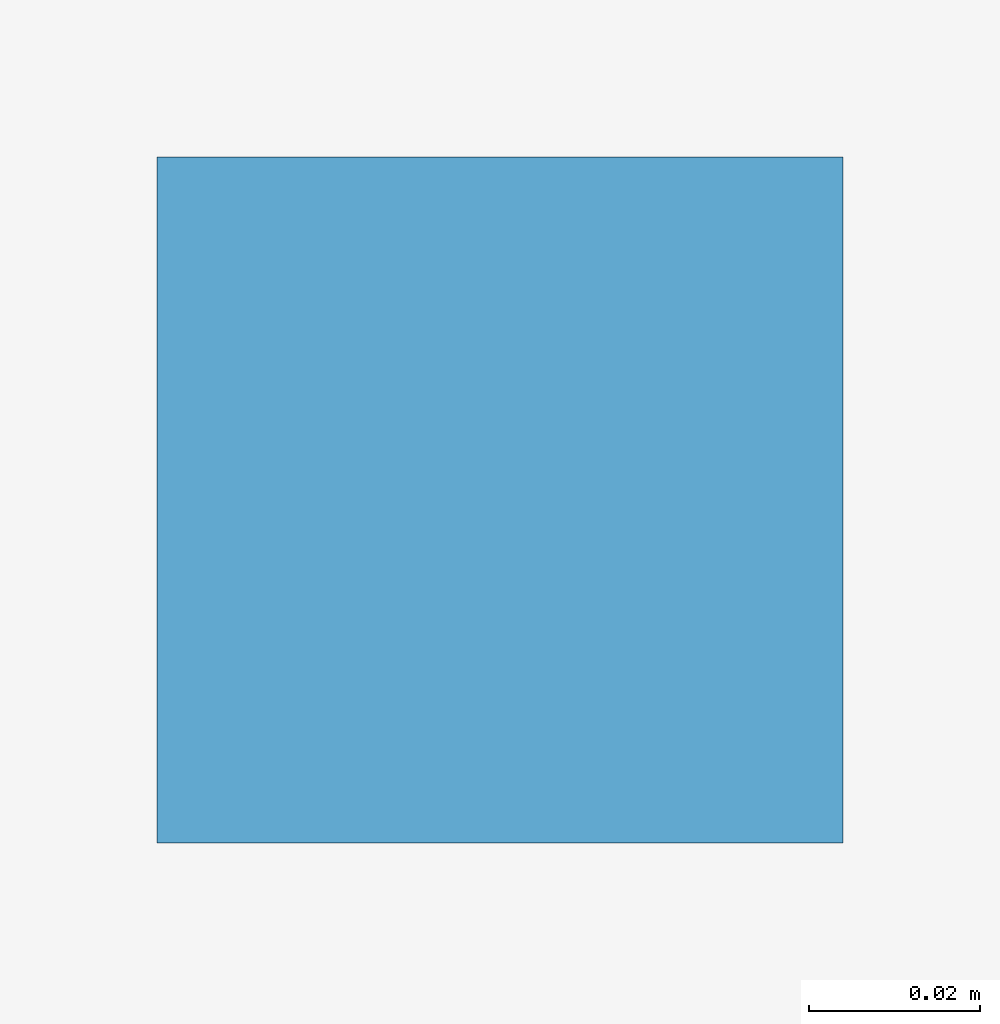
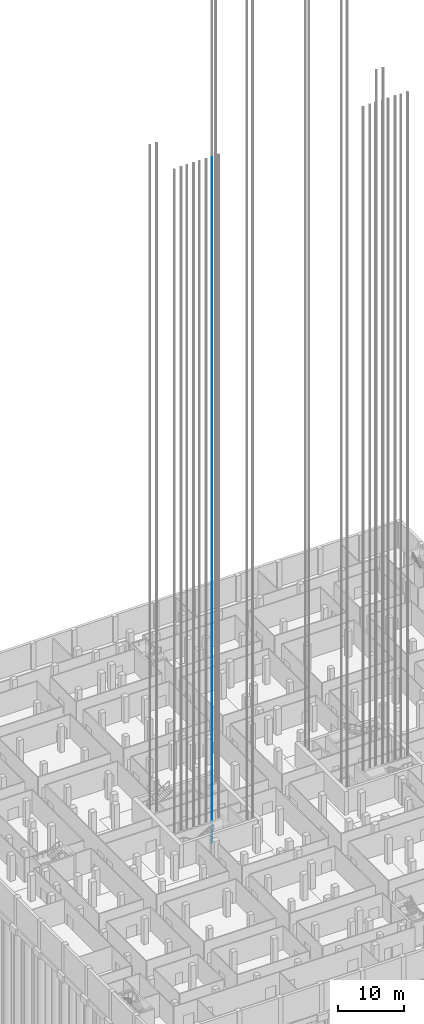
# One storey, part 32 of 54: 1 discrete accessory.
"""IFC4 building model written with IfcOpenShell, lengths in metres."""

import ifcopenshell
import ifcopenshell.guid

model = None  # the IFC model being written
_history = None  # IfcOwnerHistory: only IFC2X3 demands one
_inside = {}  # id of a spatial element -> (the spatial element, [elements in it])
_under = {}  # id of a project, library or spatial element -> (it, [spatial elements below it])
_declared = {}  # id of a project -> (the project, [libraries it declares])
_typed = {}  # id of a type object -> (the type object, [elements of that type])
_made_of = {}  # id of a material, layer set ... -> (it, [elements and type objects made of it])


def new_model(schema):
    """Start an empty IFC model of exactly this schema.

    Asked for "IFC4X3", IfcOpenShell would pick the latest addendum, in which some entities
    have other attributes; the version numbers below select the first issue.
    IFC2X3 requires an IfcOwnerHistory on every rooted entity: one is made here for all.
    """
    global model, _history
    if schema == "IFC4X3":
        model = ifcopenshell.file(schema_version=(4, 3, 0, 0))
    else:
        model = ifcopenshell.file(schema=schema)
    _inside.clear()
    _under.clear()
    _declared.clear()
    _typed.clear()
    _made_of.clear()
    _history = None
    if model.schema == "IFC2X3":
        org = make("IfcOrganization", Name="unknown")
        user = make(
            "IfcPersonAndOrganization",
            ThePerson=make("IfcPerson", FamilyName="unknown"),
            TheOrganization=org,
        )
        app = make(
            "IfcApplication",
            ApplicationDeveloper=org,
            Version="unknown",
            ApplicationFullName="unknown",
            ApplicationIdentifier="unknown",
        )
        _history = make(
            "IfcOwnerHistory",
            OwningUser=user,
            OwningApplication=app,
            ChangeAction="ADDED",
            CreationDate=0,
        )
    return model


def make(cls, **values):
    """One entity of the class cls with the attributes given. An attribute that is None is left unset."""
    return model.create_entity(
        cls, **{name: value for name, value in values.items() if value is not None}
    )


def rooted(cls, **values):
    """An entity with a GlobalId (a new one), such as an element, a storey or a relation."""
    return make(cls, GlobalId=ifcopenshell.guid.new(), OwnerHistory=_history, **values)


def si_unit(unit_type, name, prefix=None):
    """IfcSIUnit, for example si_unit("LENGTHUNIT", "METRE", prefix="MILLI")."""
    return make("IfcSIUnit", UnitType=unit_type, Prefix=prefix, Name=name)


def assignment(units):
    """IfcUnitAssignment: the units of a project."""
    return None if units is None else make("IfcUnitAssignment", Units=units)


def point(xyz):
    """IfcCartesianPoint."""
    return None if xyz is None else make("IfcCartesianPoint", Coordinates=xyz)


def direction(xyz):
    """IfcDirection."""
    return None if xyz is None else make("IfcDirection", DirectionRatios=xyz)


def frame(location, z_axis=None, x_axis=None):
    """IfcAxis2Placement3D, a coordinate frame: its origin and axes. An axis left out is left unset."""
    return make(
        "IfcAxis2Placement3D",
        Location=point(location),
        Axis=direction(z_axis),
        RefDirection=direction(x_axis),
    )


def frame_2d(location, x_axis=None):
    """IfcAxis2Placement2D, a coordinate frame in the plane: its origin and x axis."""
    return make(
        "IfcAxis2Placement2D", Location=point(location), RefDirection=direction(x_axis)
    )


def origin():
    """The frame at (0, 0, 0) with its axes left unset."""
    return frame((0.0, 0.0, 0.0))


def origin_2d():
    """The frame at (0, 0) in the plane with its x axis left unset."""
    return frame_2d((0.0, 0.0))


def place(relative_to, where):
    """IfcLocalPlacement: puts the frame where relative to a parent placement (None: the world)."""
    return make(
        "IfcLocalPlacement", PlacementRelTo=relative_to, RelativePlacement=where
    )


def context(
    kind, dimensions, precision=None, world=None, true_north=None, identifier=None
):
    """IfcGeometricRepresentationContext, for example the 3D "Model" context."""
    return make(
        "IfcGeometricRepresentationContext",
        ContextIdentifier=identifier,
        ContextType=kind,
        CoordinateSpaceDimension=dimensions,
        Precision=precision,
        WorldCoordinateSystem=world,
        TrueNorth=true_north,
    )


def subcontext(parent, identifier, kind, view, scale=None):
    """IfcGeometricRepresentationSubContext, for example "Body" below "Model"."""
    return make(
        "IfcGeometricRepresentationSubContext",
        ContextIdentifier=identifier,
        ContextType=kind,
        ParentContext=parent,
        TargetScale=scale,
        TargetView=view,
    )


def project(units=None, contexts=None):
    """IfcProject with its units and contexts."""
    return rooted(
        "IfcProject",
        Name="project",
        RepresentationContexts=contexts,
        UnitsInContext=assignment(units),
    )


def spatial(cls, under=None, at=None, **own):
    """A site, building, storey or space (cls), placed at a placement, below another one or the project."""
    s = rooted(cls, ObjectPlacement=at, **own)
    if under is not None:
        _under.setdefault(under.id(), (under, []))[1].append(s)
    return s


def profile(cls, at=None, kind="AREA", **sizes):
    """A parametric profile (cls). Its sizes go by their IFC names, for example OverallWidth=200.0."""
    return make(cls, ProfileType=kind, Position=at, **sizes)


def rectangle(**sizes):
    """IfcRectangleProfileDef."""
    return profile("IfcRectangleProfileDef", **sizes)


def extrude(swept, where, along, depth):
    """IfcExtrudedAreaSolid: the profile swept, set in the frame where, extruded along a direction by depth."""
    return make(
        "IfcExtrudedAreaSolid",
        SweptArea=swept,
        Position=where,
        ExtrudedDirection=direction(along),
        Depth=depth,
    )


def shape(context_of_items, identifier, shape_type, items):
    """IfcShapeRepresentation: the items that make up one representation, for example the "Body"."""
    return make(
        "IfcShapeRepresentation",
        ContextOfItems=context_of_items,
        RepresentationIdentifier=identifier,
        RepresentationType=shape_type,
        Items=items,
    )


def material(Name=None, Category=None):
    """IfcMaterial."""
    return make("IfcMaterial", Name=Name, Category=Category)


def made_of(thing, what):
    """Note that an element or type object is made of a material, layer set ...; save() writes the relation."""
    if what is not None:
        _made_of.setdefault(what.id(), (what, []))[1].append(thing)
    return thing


def element(
    cls,
    number,
    at=None,
    inside=None,
    cuts=None,
    type_object=None,
    material=None,
    context=None,
    identifier="Body",
    shape_type=None,
    held_by="IfcProductDefinitionShape",
    body=None,
    shapes=None,
    **own,
):
    """One element of the class cls, such as IfcWall. Its Tag is "e" and its number.

    at: its placement. inside: the storey or other place that contains it. cuts: it is an
    opening in that element (IfcRelVoidsElement). A single representation is given by context,
    identifier, shape_type and body (its items); several are given by shapes. held_by: the class
    of the entity that holds the representations. save() writes the other relations.
    """
    e = rooted(cls, Tag="e%d" % number, ObjectPlacement=at, **own)
    if body is not None:
        shapes = [shape(context, identifier, shape_type, body)]
    if shapes is not None:
        e.Representation = make(held_by, Representations=shapes)
    if inside is not None:
        _inside.setdefault(inside.id(), (inside, []))[1].append(e)
    if cuts is not None:
        rooted(
            "IfcRelVoidsElement", RelatingBuildingElement=cuts, RelatedOpeningElement=e
        )
    if type_object is not None:
        _typed.setdefault(type_object.id(), (type_object, []))[1].append(e)
    return made_of(e, material)


def aggregate(whole, parts):
    """IfcRelAggregates: a whole, such as a stair, and the parts it consists of."""
    return rooted("IfcRelAggregates", RelatingObject=whole, RelatedObjects=parts)


def save(model, path):
    """Write the relations noted so far, then the file.

    IfcRelAggregates (storeys below a building ...), IfcRelContainedInSpatialStructure (elements
    in a storey), IfcRelDefinesByType, IfcRelAssociatesMaterial and IfcRelDeclares: one each for
    every whole, place, type object, material and project.
    """
    for whole, parts in _under.values():
        aggregate(whole, parts)
    for where, things in _inside.values():
        rooted(
            "IfcRelContainedInSpatialStructure",
            RelatedElements=things,
            RelatingStructure=where,
        )
    for kind, things in _typed.values():
        rooted("IfcRelDefinesByType", RelatedObjects=things, RelatingType=kind)
    for what, things in _made_of.values():
        rooted("IfcRelAssociatesMaterial", RelatedObjects=things, RelatingMaterial=what)
    for by, libraries in _declared.values():
        rooted("IfcRelDeclares", RelatingContext=by, RelatedDefinitions=libraries)
    model.write(path)


model = new_model("IFC4")

# Units and contexts
model_context = context("Model", 3, precision=1e-05, world=origin(), true_north=direction((0.0, 1.0)))
body_context = subcontext(model_context, "Body", "Model", "MODEL_VIEW")
ifc_project = project(units=[si_unit("LENGTHUNIT", "METRE"), si_unit("AREAUNIT", "SQUARE_METRE"), si_unit("VOLUMEUNIT", "CUBIC_METRE"), si_unit("PLANEANGLEUNIT", "RADIAN"), si_unit("MASSUNIT", "GRAM", prefix="KILO")], contexts=[model_context])

# Site, building, storey
site_placement = place(None, origin())
site = spatial("IfcSite", under=ifc_project, at=site_placement, CompositionType="ELEMENT")
building_placement = place(site_placement, origin())
building = spatial("IfcBuilding", under=site, at=building_placement, Name="Fustian Cross Tower", CompositionType="ELEMENT")
storey_placement = place(building_placement, frame((0.0, 0.0, -4.800048828125)))
storey = spatial("IfcBuildingStorey", under=building, at=storey_placement, Name="B1", CompositionType="ELEMENT", Elevation=-4.800048828125)

# Discrete accessory
ifc_material = material(Name="Steel S355", Category="steel")
discrete_accessory_placement = place(storey_placement, frame((-13.875, -3.7099609375, 0.0), z_axis=(0.0, 0.0, 1.0), x_axis=(1.0, 0.0, 0.0)))
element("IfcDiscreteAccessory", 1, at=discrete_accessory_placement, inside=storey, material=ifc_material, Name="Lift guide rail LR1W 1", PredefinedType="NOTDEFINED", context=body_context, shape_type="SweptSolid", body=[
    extrude(rectangle(XDim=0.080078125, YDim=0.080078125, at=origin_2d()), origin(), (0.0, 0.0, 1.0), 127.14990234375),
])

save(model, "model.ifc")
